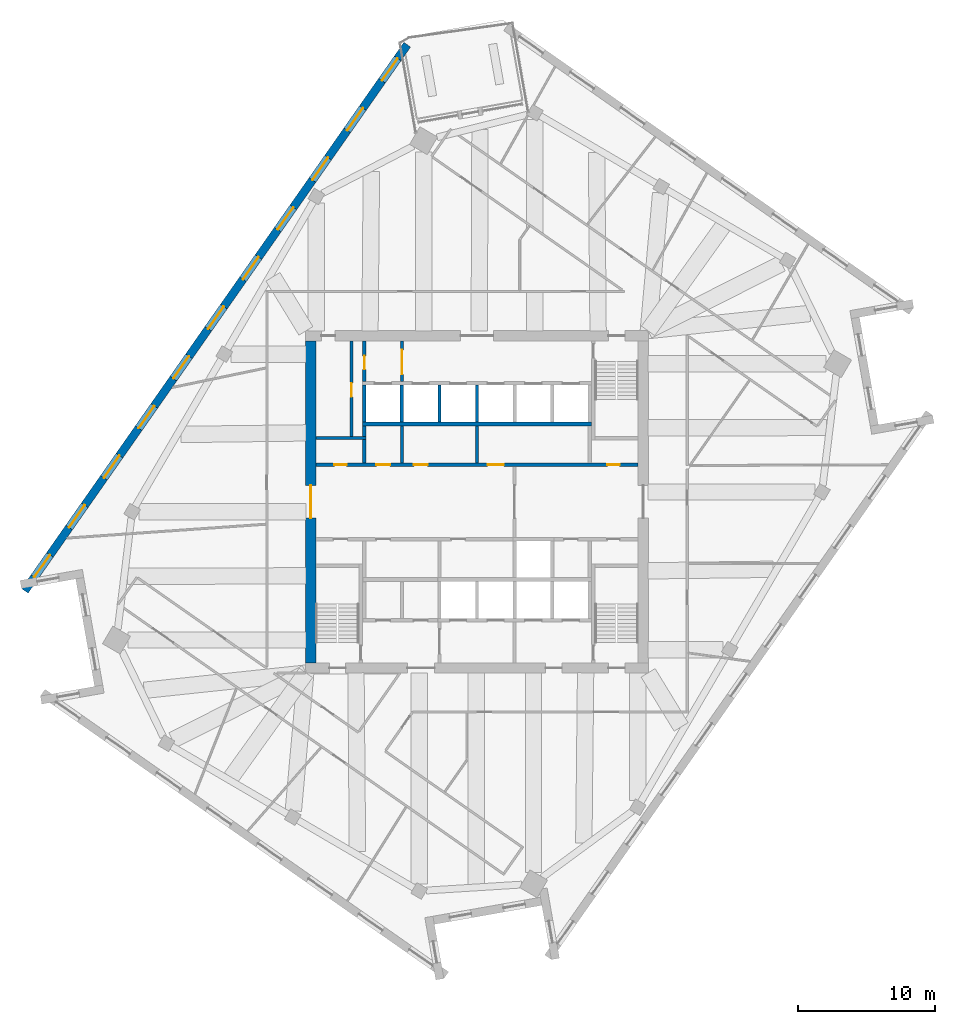
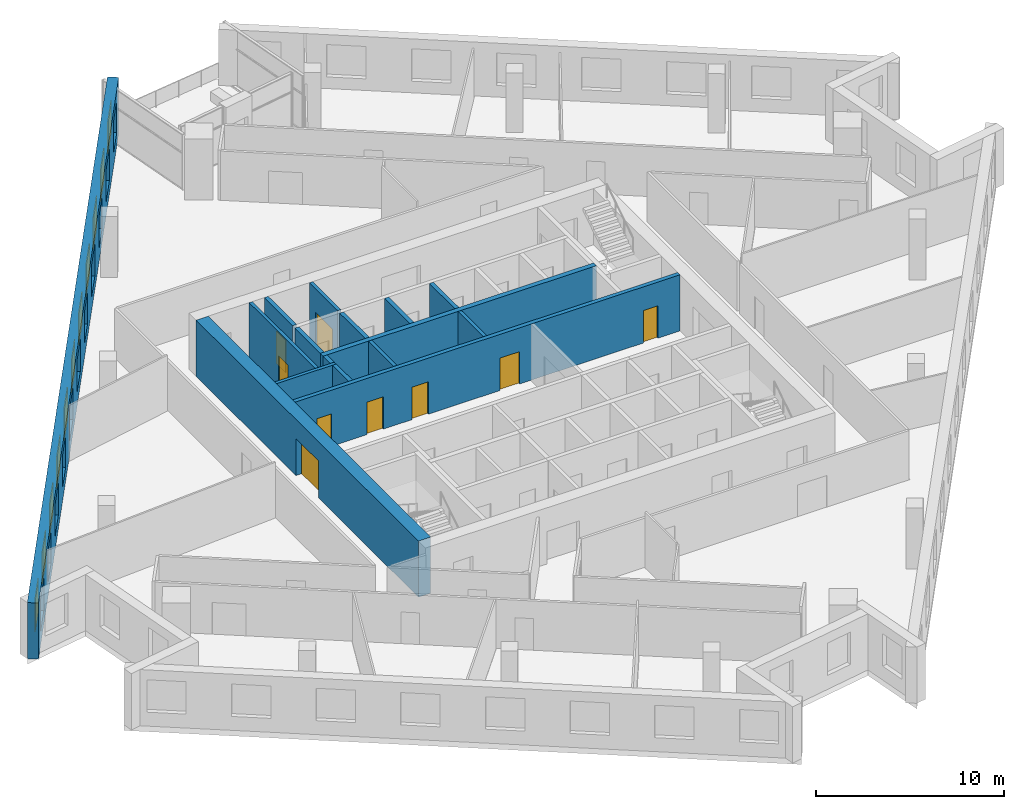
# One storey, part 9 of 13: 16 walls, 11 windows, 9 doors, 20 openings.
"""IFC4 building model written with IfcOpenShell, lengths in metres."""

from ifc_helpers import new_model, si_unit, direction, frame, frame_2d, origin, place, context, subcontext, project, spatial, rectangle, extrude, material, layer, layer_set, type_object, element, fill, save


model = new_model("IFC4")

# Units and contexts
model_context = context("Model", 3, precision=1e-05, world=origin(), true_north=direction((0.0, 1.0)))
body_context = subcontext(model_context, "Body", "Model", "MODEL_VIEW")
ifc_project = project(units=[si_unit("LENGTHUNIT", "METRE"), si_unit("AREAUNIT", "SQUARE_METRE"), si_unit("VOLUMEUNIT", "CUBIC_METRE"), si_unit("PLANEANGLEUNIT", "RADIAN"), si_unit("MASSUNIT", "GRAM", prefix="KILO")], contexts=[model_context])

# Site, building, storey
site_placement = place(None, origin())
site = spatial("IfcSite", under=ifc_project, at=site_placement, CompositionType="ELEMENT")
building_placement = place(site_placement, origin())
building = spatial("IfcBuilding", under=site, at=building_placement, Name="Dilmun Exchange Tower", CompositionType="ELEMENT")
storey_placement = place(building_placement, frame((0.0, 0.0, 246.89990234375)))
storey = spatial("IfcBuildingStorey", under=building, at=storey_placement, Name="L58", CompositionType="ELEMENT", Elevation=246.89990234375)

# Walls
ifc_material_1 = material(Name="Concrete C40/50", Category="concrete")
ifc_layer_1 = layer(ifc_material_1, 0.199951171875)
ifc_layer_set_1 = layer_set([ifc_layer_1], Name="Concrete C40/50")
wall_type_1 = type_object("IfcWallType", Name="Core partition wall 200", PredefinedType="PARTITIONING", material=ifc_layer_set_1)
for number, where, z_axis, x_axis, name in (
    (1, (-5.5, 2.85498046875, 0.0), (0.0, 0.0, 1.0), (0.0, 1.0, 0.0), "L58 core partition wall 15"),
    (2, (0.0, 2.85498046875, 0.0), (0.0, 0.0, 1.0), (0.0, 1.0, 0.0), "L58 core partition wall 16"),
):
    element("IfcWall", number, at=place(storey_placement, frame(where, z_axis=z_axis, x_axis=x_axis)), inside=storey, type_object=wall_type_1, Name=name, PredefinedType="PARTITIONING", context=body_context, shape_type="SweptSolid", body=[
        extrude(rectangle(XDim=2.68994140625, YDim=0.199951171875, at=frame_2d((1.344970703125, 0.0))), origin(), (0.0, 0.0, 1.0), 3.64013671875),
    ])
wall_1_placement = place(storey_placement, frame((-11.794921875, 4.675048828125, 0.0), z_axis=(0.0, 0.0, 1.0), x_axis=(1.0, 0.0, 0.0)))
element("IfcWall", 3, at=wall_1_placement, inside=storey, type_object=wall_type_1, Name="L58 core partition wall 18", PredefinedType="PARTITIONING", context=body_context, shape_type="SweptSolid", body=[
    extrude(rectangle(XDim=3.64501953125, YDim=0.199951171875, at=frame_2d((1.822509765625, 0.0))), origin(), (0.0, 0.0, 1.0), 3.64013671875),
])

# Wall, opening, door
wall_2_placement = place(storey_placement, frame((-9.199951171875, 4.780029296875, 0.0), z_axis=(0.0, 0.0, 1.0), x_axis=(0.0, 1.0, 0.0)))
wall_2 = element("IfcWall", 4, at=wall_2_placement, inside=storey, type_object=wall_type_1, Name="L58 core partition wall 19", PredefinedType="PARTITIONING", context=body_context, shape_type="SweptSolid", body=[
    extrude(rectangle(XDim=7.014892578125, YDim=0.199951171875, at=frame_2d((3.50732421875, 0.0))), origin(), (0.0, 0.0, 1.0), 3.64013671875),
])
opening_1_placement = place(wall_2_placement, frame((2.919921875, 0.0, 0.0)))
opening_1 = element("IfcOpeningElement", 5, at=opening_1_placement, cuts=wall_2, Name="Opening CD4", PredefinedType="OPENING", context=body_context, shape_type="SweptSolid", body=[
    extrude(rectangle(XDim=1.0, YDim=2.10009765625, at=frame_2d((0.5, 1.050048828125))), frame((0.0, 0.10986328125, 0.0), z_axis=(0.0, -1.0, 0.0), x_axis=(1.0, 0.0, 0.0)), (0.0, 0.0, 1.0), 0.219970703125),
])
ifc_material_2 = material(Name="Fire-rated steel door set", Category="steel")
door_type_1 = type_object("IfcDoorType", Name="Core room door 1000x2100", OperationType="SINGLE_SWING_LEFT", PredefinedType="DOOR", material=ifc_material_2)
door_1_placement = place(opening_1_placement, origin())
door_1 = element("IfcDoor", 6, at=door_1_placement, inside=storey, type_object=door_type_1, Name="L58 door Fire safety store", OperationType="SINGLE_SWING_LEFT", OverallHeight=2.10009765625, OverallWidth=1.0, PredefinedType="DOOR", context=body_context, shape_type="SweptSolid", body=[
    extrude(rectangle(XDim=1.0, YDim=2.10009765625, at=frame_2d((0.5, 1.050048828125))), frame((0.0, 0.02490234375, 0.0), z_axis=(0.0, -1.0, 0.0), x_axis=(1.0, 0.0, 0.0)), (0.0, 0.0, 1.0), 0.050048828125),
])
fill(opening_1, door_1)

wall_3_placement = place(storey_placement, frame((-5.5, 8.804931640625, 0.0), z_axis=(0.0, 0.0, 1.0), x_axis=(0.0, 1.0, 0.0)))
wall_3 = element("IfcWall", 7, at=wall_3_placement, inside=storey, type_object=wall_type_1, Name="L58 core partition wall 22", PredefinedType="PARTITIONING", context=body_context, shape_type="SweptSolid", body=[
    extrude(rectangle(XDim=2.989990234375, YDim=0.199951171875, at=frame_2d((1.4951171875, 0.0))), origin(), (0.0, 0.0, 1.0), 3.64013671875),
])
opening_2_placement = place(wall_3_placement, frame((0.532470703125, 0.0, 0.0)))
opening_2 = element("IfcOpeningElement", 8, at=opening_2_placement, cuts=wall_3, Name="Opening CD5", PredefinedType="OPENING", context=body_context, shape_type="SweptSolid", body=[
    extrude(rectangle(XDim=1.800048828125, YDim=2.10009765625, at=frame_2d((0.89990234375, 1.050048828125))), frame((0.0, 0.10986328125, 0.0), z_axis=(0.0, -1.0, 0.0), x_axis=(1.0, 0.0, 0.0)), (0.0, 0.0, 1.0), 0.219970703125),
])
door_type_2 = type_object("IfcDoorType", Name="Stair exit door 1800x2100", OperationType="SINGLE_SWING_LEFT", PredefinedType="DOOR", material=ifc_material_2)
door_2_placement = place(opening_2_placement, origin())
door_2 = element("IfcDoor", 9, at=door_2_placement, inside=storey, type_object=door_type_2, Name="L58 door Lift lobby east", OperationType="SINGLE_SWING_LEFT", OverallHeight=2.10009765625, OverallWidth=1.800048828125, PredefinedType="DOOR", context=body_context, shape_type="SweptSolid", body=[
    extrude(rectangle(XDim=1.800048828125, YDim=2.10009765625, at=frame_2d((0.89990234375, 1.050048828125))), frame((0.0, 0.02490234375, 0.0), z_axis=(0.0, -1.0, 0.0), x_axis=(1.0, 0.0, 0.0)), (0.0, 0.0, 1.0), 0.050048828125),
])
fill(opening_2, door_2)

# Wall, openings, doors
ifc_layer_2 = layer(ifc_material_1, 0.25)
ifc_layer_set_2 = layer_set([ifc_layer_2], Name="Concrete C40/50")
wall_type_2 = type_object("IfcWallType", Name="Core partition wall 250", PredefinedType="PARTITIONING", material=ifc_layer_set_2)
wall_4_placement = place(storey_placement, frame((-11.794921875, 2.72509765625, 0.0), z_axis=(0.0, 0.0, 1.0), x_axis=(1.0, 0.0, 0.0)))
wall_4 = element("IfcWall", 10, at=wall_4_placement, inside=storey, type_object=wall_type_2, Name="L58 core partition wall 13", PredefinedType="PARTITIONING", context=body_context, shape_type="SweptSolid", body=[
    extrude(rectangle(XDim=23.58984375, YDim=0.25, at=frame_2d((11.794921875, 0.0))), origin(), (0.0, 0.0, 1.0), 3.64013671875),
])
opening_3_placement = place(wall_4_placement, frame((21.344970703125, 0.0, 0.0)))
opening_3 = element("IfcOpeningElement", 11, at=opening_3_placement, cuts=wall_4, Name="Opening CD6", PredefinedType="OPENING", context=body_context, shape_type="SweptSolid", body=[
    extrude(rectangle(XDim=0.89990234375, YDim=2.10009765625, at=frame_2d((0.449951171875, 1.050048828125))), frame((0.0, 0.135009765625, 0.0), z_axis=(0.0, -1.0, 0.0), x_axis=(1.0, 0.0, 0.0)), (0.0, 0.0, 1.0), 0.27001953125),
])
opening_4_placement = place(wall_4_placement, frame((1.344970703125, 0.0, 0.0)))
opening_4 = element("IfcOpeningElement", 12, at=opening_4_placement, cuts=wall_4, Name="Opening CD6", PredefinedType="OPENING", context=body_context, shape_type="SweptSolid", body=[
    extrude(rectangle(XDim=0.89990234375, YDim=2.10009765625, at=frame_2d((0.449951171875, 1.050048828125))), frame((0.0, 0.135009765625, 0.0), z_axis=(0.0, -1.0, 0.0), x_axis=(1.0, 0.0, 0.0)), (0.0, 0.0, 1.0), 0.27001953125),
])
opening_5_placement = place(wall_4_placement, frame((4.419921875, 0.0, 0.0)))
opening_5 = element("IfcOpeningElement", 13, at=opening_5_placement, cuts=wall_4, Name="Opening CD4", PredefinedType="OPENING", context=body_context, shape_type="SweptSolid", body=[
    extrude(rectangle(XDim=1.0, YDim=2.10009765625, at=frame_2d((0.5, 1.050048828125))), frame((0.0, 0.135009765625, 0.0), z_axis=(0.0, -1.0, 0.0), x_axis=(1.0, 0.0, 0.0)), (0.0, 0.0, 1.0), 0.27001953125),
])
opening_6_placement = place(wall_4_placement, frame((7.169921875, 0.0, 0.0)))
opening_6 = element("IfcOpeningElement", 14, at=opening_6_placement, cuts=wall_4, Name="Opening CD4", PredefinedType="OPENING", context=body_context, shape_type="SweptSolid", body=[
    extrude(rectangle(XDim=1.0, YDim=2.10009765625, at=frame_2d((0.5, 1.050048828125))), frame((0.0, 0.135009765625, 0.0), z_axis=(0.0, -1.0, 0.0), x_axis=(1.0, 0.0, 0.0)), (0.0, 0.0, 1.0), 0.27001953125),
])
opening_7_placement = place(wall_4_placement, frame((12.570068359375, 0.0, 0.0)))
opening_7 = element("IfcOpeningElement", 15, at=opening_7_placement, cuts=wall_4, Name="Opening CD3", PredefinedType="OPENING", context=body_context, shape_type="SweptSolid", body=[
    extrude(rectangle(XDim=1.199951171875, YDim=2.10009765625, at=frame_2d((0.60009765625, 1.050048828125))), frame((0.0, 0.135009765625, 0.0), z_axis=(0.0, -1.0, 0.0), x_axis=(1.0, 0.0, 0.0)), (0.0, 0.0, 1.0), 0.27001953125),
])
door_3_placement = place(opening_5_placement, origin())
door_3 = element("IfcDoor", 16, at=door_3_placement, inside=storey, type_object=door_type_1, Name="L58 door Security room", OperationType="SINGLE_SWING_LEFT", OverallHeight=2.10009765625, OverallWidth=1.0, PredefinedType="DOOR", context=body_context, shape_type="SweptSolid", body=[
    extrude(rectangle(XDim=1.0, YDim=2.10009765625, at=frame_2d((0.5, 1.050048828125))), frame((0.0, 0.02490234375, 0.0), z_axis=(0.0, -1.0, 0.0), x_axis=(1.0, 0.0, 0.0)), (0.0, 0.0, 1.0), 0.050048828125),
])
fill(opening_5, door_3)
door_4_placement = place(opening_6_placement, origin())
door_4 = element("IfcDoor", 17, at=door_4_placement, inside=storey, type_object=door_type_1, Name="L58 door Tenant services room", OperationType="SINGLE_SWING_LEFT", OverallHeight=2.10009765625, OverallWidth=1.0, PredefinedType="DOOR", context=body_context, shape_type="SweptSolid", body=[
    extrude(rectangle(XDim=1.0, YDim=2.10009765625, at=frame_2d((0.5, 1.050048828125))), frame((0.0, 0.02490234375, 0.0), z_axis=(0.0, -1.0, 0.0), x_axis=(1.0, 0.0, 0.0)), (0.0, 0.0, 1.0), 0.050048828125),
])
fill(opening_6, door_4)
door_type_3 = type_object("IfcDoorType", Name="Core room door 900x2100", OperationType="SINGLE_SWING_LEFT", PredefinedType="DOOR", material=ifc_material_2)
door_5_placement = place(opening_3_placement, origin())
door_5 = element("IfcDoor", 18, at=door_5_placement, inside=storey, type_object=door_type_3, Name="L58 door Electrical riser", OperationType="SINGLE_SWING_LEFT", OverallHeight=2.10009765625, OverallWidth=0.89990234375, PredefinedType="DOOR", context=body_context, shape_type="SweptSolid", body=[
    extrude(rectangle(XDim=0.89990234375, YDim=2.10009765625, at=frame_2d((0.449951171875, 1.050048828125))), frame((0.0, 0.02490234375, 0.0), z_axis=(0.0, -1.0, 0.0), x_axis=(1.0, 0.0, 0.0)), (0.0, 0.0, 1.0), 0.050048828125),
])
fill(opening_3, door_5)
door_6_placement = place(opening_4_placement, origin())
door_6 = element("IfcDoor", 19, at=door_6_placement, inside=storey, type_object=door_type_3, Name="L58 door Plumbing riser", OperationType="SINGLE_SWING_LEFT", OverallHeight=2.10009765625, OverallWidth=0.89990234375, PredefinedType="DOOR", context=body_context, shape_type="SweptSolid", body=[
    extrude(rectangle(XDim=0.89990234375, YDim=2.10009765625, at=frame_2d((0.449951171875, 1.050048828125))), frame((0.0, 0.02490234375, 0.0), z_axis=(0.0, -1.0, 0.0), x_axis=(1.0, 0.0, 0.0)), (0.0, 0.0, 1.0), 0.050048828125),
])
fill(opening_4, door_6)
door_type_4 = type_object("IfcDoorType", Name="Stair exit door 1200x2100", OperationType="SINGLE_SWING_LEFT", PredefinedType="DOOR", material=ifc_material_2)
door_7_placement = place(opening_7_placement, origin())
door_7 = element("IfcDoor", 20, at=door_7_placement, inside=storey, type_object=door_type_4, Name="L58 door Tenant amenity store", OperationType="SINGLE_SWING_LEFT", OverallHeight=2.10009765625, OverallWidth=1.199951171875, PredefinedType="DOOR", context=body_context, shape_type="SweptSolid", body=[
    extrude(rectangle(XDim=1.199951171875, YDim=2.10009765625, at=frame_2d((0.60009765625, 1.050048828125))), frame((0.0, 0.02490234375, 0.0), z_axis=(0.0, -1.0, 0.0), x_axis=(1.0, 0.0, 0.0)), (0.0, 0.0, 1.0), 0.050048828125),
])
fill(opening_7, door_7)

# Walls
wall_5_placement = place(storey_placement, frame((-8.25, 2.85498046875, 0.0), z_axis=(0.0, 0.0, 1.0), x_axis=(0.0, 1.0, 0.0)))
element("IfcWall", 21, at=wall_5_placement, inside=storey, type_object=wall_type_2, Name="L58 core partition wall 14", PredefinedType="PARTITIONING", context=body_context, shape_type="SweptSolid", body=[
    extrude(rectangle(XDim=1.715087890625, YDim=0.25, at=frame_2d((0.857421875, 0.0))), origin(), (0.0, 0.0, 1.0), 3.64013671875),
])
wall_6_placement = place(storey_placement, frame((-8.25, 4.780029296875, 0.0), z_axis=(0.0, 0.0, 1.0), x_axis=(0.0, 1.0, 0.0)))
element("IfcWall", 22, at=wall_6_placement, inside=storey, type_object=wall_type_2, Name="L58 core partition wall 20", PredefinedType="PARTITIONING", context=body_context, shape_type="SweptSolid", body=[
    extrude(rectangle(XDim=0.764892578125, YDim=0.25, at=frame_2d((0.38232421875, 0.0))), origin(), (0.0, 0.0, 1.0), 3.64013671875),
])

# Wall, opening, door
wall_7_placement = place(storey_placement, frame((-8.25, 8.804931640625, 0.0), z_axis=(0.0, 0.0, 1.0), x_axis=(0.0, 1.0, 0.0)))
wall_7 = element("IfcWall", 23, at=wall_7_placement, inside=storey, type_object=wall_type_2, Name="L58 core partition wall 21", PredefinedType="PARTITIONING", context=body_context, shape_type="SweptSolid", body=[
    extrude(rectangle(XDim=2.989990234375, YDim=0.25, at=frame_2d((1.4951171875, 0.0))), origin(), (0.0, 0.0, 1.0), 3.64013671875),
])
opening_8_placement = place(wall_7_placement, frame((0.89501953125, 0.0, 0.0)))
opening_8 = element("IfcOpeningElement", 24, at=opening_8_placement, cuts=wall_7, Name="Opening CD4", PredefinedType="OPENING", context=body_context, shape_type="SweptSolid", body=[
    extrude(rectangle(XDim=1.0, YDim=2.10009765625, at=frame_2d((0.5, 1.050048828125))), frame((0.0, 0.135009765625, 0.0), z_axis=(0.0, -1.0, 0.0), x_axis=(1.0, 0.0, 0.0)), (0.0, 0.0, 1.0), 0.27001953125),
])
door_8_placement = place(opening_8_placement, origin())
door_8 = element("IfcDoor", 25, at=door_8_placement, inside=storey, type_object=door_type_1, Name="L58 door Tenant services room", OperationType="SINGLE_SWING_LEFT", OverallHeight=2.10009765625, OverallWidth=1.0, PredefinedType="DOOR", context=body_context, shape_type="SweptSolid", body=[
    extrude(rectangle(XDim=1.0, YDim=2.10009765625, at=frame_2d((0.5, 1.050048828125))), frame((0.0, 0.02490234375, 0.0), z_axis=(0.0, -1.0, 0.0), x_axis=(1.0, 0.0, 0.0)), (0.0, 0.0, 1.0), 0.050048828125),
])
fill(opening_8, door_8)

ifc_material_3 = material(Name="Concrete C50/60", Category="concrete")
ifc_layer_3 = layer(ifc_material_3, 0.75)
ifc_layer_set_3 = layer_set([ifc_layer_3], Name="Concrete C50/60")
wall_type_3 = type_object("IfcWallType", Name="Core shear wall 750 Concrete C50/60", PredefinedType="SHEAR", material=ifc_layer_set_3)
wall_8_placement = place(storey_placement, frame((-12.175048828125, -11.800048828125, 0.0), z_axis=(0.0, 0.0, 1.0), x_axis=(0.0, 1.0, 0.0)))
wall_8 = element("IfcWall", 26, at=wall_8_placement, inside=storey, type_object=wall_type_3, Name="L58 core shear wall W", PredefinedType="SHEAR", context=body_context, shape_type="SweptSolid", body=[
    extrude(rectangle(XDim=23.60009765625, YDim=0.75, at=frame_2d((11.800048828125, 0.0))), origin(), (0.0, 0.0, 1.0), 3.64013671875),
])
opening_9_placement = place(wall_8_placement, frame((10.60009765625, 0.0, 0.0)))
opening_9 = element("IfcOpeningElement", 27, at=opening_9_placement, cuts=wall_8, Name="Opening CD1", PredefinedType="OPENING", context=body_context, shape_type="SweptSolid", body=[
    extrude(rectangle(XDim=2.39990234375, YDim=2.39990234375, at=frame_2d((1.199951171875, 1.199951171875))), frame((0.0, 0.385009765625, 0.0), z_axis=(0.0, -1.0, 0.0), x_axis=(1.0, 0.0, 0.0)), (0.0, 0.0, 1.0), 0.77001953125),
])
door_type_5 = type_object("IfcDoorType", Name="Core lobby door 2400x2400", OperationType="DOUBLE_DOOR_DOUBLE_SWING", PredefinedType="DOOR", material=ifc_material_2)
door_9_placement = place(opening_9_placement, origin())
door_9 = element("IfcDoor", 28, at=door_9_placement, inside=storey, type_object=door_type_5, Name="L58 door Central lift lobby", OperationType="SINGLE_SWING_LEFT", OverallHeight=2.39990234375, OverallWidth=2.39990234375, PredefinedType="DOOR", context=body_context, shape_type="SweptSolid", body=[
    extrude(rectangle(XDim=2.39990234375, YDim=2.39990234375, at=frame_2d((1.199951171875, 1.199951171875))), frame((0.0, 0.02490234375, 0.0), z_axis=(0.0, -1.0, 0.0), x_axis=(1.0, 0.0, 0.0)), (0.0, 0.0, 1.0), 0.050048828125),
])
fill(opening_9, door_9)

# Walls
ifc_layer_4 = layer(ifc_material_1, 0.300048828125)
ifc_layer_set_4 = layer_set([ifc_layer_4], Name="Concrete C40/50")
wall_type_4 = type_object("IfcWallType", Name="Lift shaft shared wall 300", PredefinedType="SOLIDWALL", material=ifc_layer_set_4)
wall_9_placement = place(storey_placement, frame((-8.375, 5.699951171875, 0.0), z_axis=(0.0, 0.0, 1.0), x_axis=(1.0, 0.0, 0.0)))
element("IfcWall", 29, at=wall_9_placement, inside=storey, type_object=wall_type_4, Name="L58 lift shaft rear wall N", PredefinedType="SOLIDWALL", context=body_context, shape_type="SweptSolid", body=[
    extrude(rectangle(XDim=16.75, YDim=0.300048828125, at=frame_2d((8.375, 0.0))), origin(), (0.0, 0.0, 1.0), 3.64013671875),
])
ifc_layer_5 = layer(ifc_material_1, 0.25)
ifc_layer_set_5 = layer_set([ifc_layer_5], Name="Concrete C40/50")
wall_type_5 = type_object("IfcWallType", Name="Lift shaft wall 250", PredefinedType="SOLIDWALL", material=ifc_layer_set_5)
for number, where, z_axis, x_axis, name in (
    (30, (-8.25, 5.85009765625, 0.0), (0.0, 0.0, 1.0), (0.0, 1.0, 0.0), "L58 lift shaft divider N20"),
    (31, (-5.5, 5.85009765625, 0.0), (0.0, 0.0, 1.0), (0.0, 1.0, 0.0), "L58 lift shaft divider N21"),
    (32, (-2.75, 5.85009765625, 0.0), (0.0, 0.0, 1.0), (0.0, 1.0, 0.0), "L58 lift shaft divider N22"),
    (33, (0.0, 5.85009765625, 0.0), (0.0, 0.0, 1.0), (0.0, 1.0, 0.0), "L58 lift shaft divider N23"),
):
    element("IfcWall", number, at=place(storey_placement, frame(where, z_axis=z_axis, x_axis=x_axis)), inside=storey, type_object=wall_type_5, Name=name, PredefinedType="SOLIDWALL", context=body_context, shape_type="SweptSolid", body=[
        extrude(rectangle(XDim=2.699951171875, YDim=0.25, at=frame_2d((1.35009765625, 0.0))), origin(), (0.0, 0.0, 1.0), 3.64013671875),
    ])

# Wall, openings, windows
ifc_material_4 = material(Name="Precast concrete C50/60", Category="concrete")
ifc_layer_6 = layer(ifc_material_4, 0.60009765625)
ifc_layer_set_6 = layer_set([ifc_layer_6], Name="Precast concrete C50/60")
wall_type_6 = type_object("IfcWallType", Name="Precast stone-clad wall 600", PredefinedType="STANDARD", material=ifc_layer_set_6)
wall_10_placement = place(storey_placement, frame((-5.115478515625, 33.490966796875, 0.0), z_axis=(0.0, 0.0, 1.0), x_axis=(-0.57357740375, -0.819151366908, 0.0)))
wall_10 = element("IfcWall", 34, at=wall_10_placement, inside=storey, type_object=wall_type_6, Name="Facade wall L58-03", PredefinedType="STANDARD", context=body_context, shape_type="SweptSolid", body=[
    extrude(rectangle(XDim=48.84326171875, YDim=0.60009765625, at=frame_2d((24.421630859375, 0.0))), origin(), (0.0, 0.0, 1.0), 3.64013671875),
])
opening_10_placement = place(wall_10_placement, frame((1.22021484375, 0.0, 0.89990234375)))
opening_10 = element("IfcOpeningElement", 35, at=opening_10_placement, cuts=wall_10, Name="Opening W200-210", PredefinedType="OPENING", context=body_context, shape_type="SweptSolid", body=[
    extrude(rectangle(XDim=2.0, YDim=2.10009765625, at=frame_2d((1.0, 1.050048828125))), frame((0.0, 0.31005859375, 0.0), z_axis=(0.0, -1.0, 0.0), x_axis=(1.0, 0.0, 0.0)), (0.0, 0.0, 1.0), 0.6201171875),
])
opening_11_placement = place(wall_10_placement, frame((5.660400390625, 0.0, 0.89990234375)))
opening_11 = element("IfcOpeningElement", 36, at=opening_11_placement, cuts=wall_10, Name="Opening W200-210", PredefinedType="OPENING", context=body_context, shape_type="SweptSolid", body=[
    extrude(rectangle(XDim=2.0, YDim=2.10009765625, at=frame_2d((1.0, 1.050048828125))), frame((0.0, 0.31005859375, 0.0), z_axis=(0.0, -1.0, 0.0), x_axis=(1.0, 0.0, 0.0)), (0.0, 0.0, 1.0), 0.6201171875),
])
opening_12_placement = place(wall_10_placement, frame((10.1005859375, 0.0, 0.89990234375)))
opening_12 = element("IfcOpeningElement", 37, at=opening_12_placement, cuts=wall_10, Name="Opening W200-210", PredefinedType="OPENING", context=body_context, shape_type="SweptSolid", body=[
    extrude(rectangle(XDim=2.0, YDim=2.10009765625, at=frame_2d((1.0, 1.050048828125))), frame((0.0, 0.31005859375, 0.0), z_axis=(0.0, -1.0, 0.0), x_axis=(1.0, 0.0, 0.0)), (0.0, 0.0, 1.0), 0.6201171875),
])
opening_13_placement = place(wall_10_placement, frame((14.541015625, 0.0, 0.89990234375)))
opening_13 = element("IfcOpeningElement", 38, at=opening_13_placement, cuts=wall_10, Name="Opening W200-210", PredefinedType="OPENING", context=body_context, shape_type="SweptSolid", body=[
    extrude(rectangle(XDim=2.0, YDim=2.10009765625, at=frame_2d((1.0, 1.050048828125))), frame((0.0, 0.31005859375, 0.0), z_axis=(0.0, -1.0, 0.0), x_axis=(1.0, 0.0, 0.0)), (0.0, 0.0, 1.0), 0.6201171875),
])
opening_14_placement = place(wall_10_placement, frame((18.981201171875, 0.0, 0.89990234375)))
opening_14 = element("IfcOpeningElement", 39, at=opening_14_placement, cuts=wall_10, Name="Opening W200-210", PredefinedType="OPENING", context=body_context, shape_type="SweptSolid", body=[
    extrude(rectangle(XDim=2.0, YDim=2.10009765625, at=frame_2d((1.0, 1.050048828125))), frame((0.0, 0.31005859375, 0.0), z_axis=(0.0, -1.0, 0.0), x_axis=(1.0, 0.0, 0.0)), (0.0, 0.0, 1.0), 0.6201171875),
])
opening_15_placement = place(wall_10_placement, frame((23.421630859375, 0.0, 0.89990234375)))
opening_15 = element("IfcOpeningElement", 40, at=opening_15_placement, cuts=wall_10, Name="Opening W200-210", PredefinedType="OPENING", context=body_context, shape_type="SweptSolid", body=[
    extrude(rectangle(XDim=2.0, YDim=2.10009765625, at=frame_2d((1.0, 1.050048828125))), frame((0.0, 0.31005859375, 0.0), z_axis=(0.0, -1.0, 0.0), x_axis=(1.0, 0.0, 0.0)), (0.0, 0.0, 1.0), 0.6201171875),
])
opening_16_placement = place(wall_10_placement, frame((27.86181640625, 0.0, 0.89990234375)))
opening_16 = element("IfcOpeningElement", 41, at=opening_16_placement, cuts=wall_10, Name="Opening W200-210", PredefinedType="OPENING", context=body_context, shape_type="SweptSolid", body=[
    extrude(rectangle(XDim=2.0, YDim=2.10009765625, at=frame_2d((1.0, 1.050048828125))), frame((0.0, 0.31005859375, 0.0), z_axis=(0.0, -1.0, 0.0), x_axis=(1.0, 0.0, 0.0)), (0.0, 0.0, 1.0), 0.6201171875),
])
opening_17_placement = place(wall_10_placement, frame((32.302001953125, 0.0, 0.89990234375)))
opening_17 = element("IfcOpeningElement", 42, at=opening_17_placement, cuts=wall_10, Name="Opening W200-210", PredefinedType="OPENING", context=body_context, shape_type="SweptSolid", body=[
    extrude(rectangle(XDim=2.0, YDim=2.10009765625, at=frame_2d((1.0, 1.050048828125))), frame((0.0, 0.31005859375, 0.0), z_axis=(0.0, -1.0, 0.0), x_axis=(1.0, 0.0, 0.0)), (0.0, 0.0, 1.0), 0.6201171875),
])
opening_18_placement = place(wall_10_placement, frame((36.742431640625, 0.0, 0.89990234375)))
opening_18 = element("IfcOpeningElement", 43, at=opening_18_placement, cuts=wall_10, Name="Opening W200-210", PredefinedType="OPENING", context=body_context, shape_type="SweptSolid", body=[
    extrude(rectangle(XDim=2.0, YDim=2.10009765625, at=frame_2d((1.0, 1.050048828125))), frame((0.0, 0.31005859375, 0.0), z_axis=(0.0, -1.0, 0.0), x_axis=(1.0, 0.0, 0.0)), (0.0, 0.0, 1.0), 0.6201171875),
])
opening_19_placement = place(wall_10_placement, frame((41.1826171875, 0.0, 0.89990234375)))
opening_19 = element("IfcOpeningElement", 44, at=opening_19_placement, cuts=wall_10, Name="Opening W200-210", PredefinedType="OPENING", context=body_context, shape_type="SweptSolid", body=[
    extrude(rectangle(XDim=2.0, YDim=2.10009765625, at=frame_2d((1.0, 1.050048828125))), frame((0.0, 0.31005859375, 0.0), z_axis=(0.0, -1.0, 0.0), x_axis=(1.0, 0.0, 0.0)), (0.0, 0.0, 1.0), 0.6201171875),
])
opening_20_placement = place(wall_10_placement, frame((45.623046875, 0.0, 0.89990234375)))
opening_20 = element("IfcOpeningElement", 45, at=opening_20_placement, cuts=wall_10, Name="Opening W200-210", PredefinedType="OPENING", context=body_context, shape_type="SweptSolid", body=[
    extrude(rectangle(XDim=2.0, YDim=2.10009765625, at=frame_2d((1.0, 1.050048828125))), frame((0.0, 0.31005859375, 0.0), z_axis=(0.0, -1.0, 0.0), x_axis=(1.0, 0.0, 0.0)), (0.0, 0.0, 1.0), 0.6201171875),
])
ifc_material_5 = material(Name="Clear low-emissivity glass in aluminium frame", Category="aluminium")
window_type = type_object("IfcWindowType", Name="Punched window 2000 x 2100", PartitioningType="DOUBLE_PANEL_VERTICAL", PredefinedType="WINDOW", material=ifc_material_5)
window_1_placement = place(opening_10_placement, origin())
window_1 = element("IfcWindow", 46, at=window_1_placement, inside=storey, type_object=window_type, Name="Window 4.1", OverallHeight=2.10009765625, OverallWidth=2.0, PartitioningType="SINGLE_PANEL", PredefinedType="WINDOW", context=body_context, shape_type="SweptSolid", body=[
    extrude(rectangle(XDim=2.0, YDim=2.10009765625, at=frame_2d((1.0, 1.050048828125))), frame((0.0, 0.030029296875, 0.0), z_axis=(0.0, -1.0, 0.0), x_axis=(1.0, 0.0, 0.0)), (0.0, 0.0, 1.0), 0.06005859375),
])
fill(opening_10, window_1)
window_2_placement = place(opening_11_placement, origin())
window_2 = element("IfcWindow", 47, at=window_2_placement, inside=storey, type_object=window_type, Name="Window 4.2", OverallHeight=2.10009765625, OverallWidth=2.0, PartitioningType="SINGLE_PANEL", PredefinedType="WINDOW", context=body_context, shape_type="SweptSolid", body=[
    extrude(rectangle(XDim=2.0, YDim=2.10009765625, at=frame_2d((1.0, 1.050048828125))), frame((0.0, 0.030029296875, 0.0), z_axis=(0.0, -1.0, 0.0), x_axis=(1.0, 0.0, 0.0)), (0.0, 0.0, 1.0), 0.06005859375),
])
fill(opening_11, window_2)
window_3_placement = place(opening_12_placement, origin())
window_3 = element("IfcWindow", 48, at=window_3_placement, inside=storey, type_object=window_type, Name="Window 4.3", OverallHeight=2.10009765625, OverallWidth=2.0, PartitioningType="SINGLE_PANEL", PredefinedType="WINDOW", context=body_context, shape_type="SweptSolid", body=[
    extrude(rectangle(XDim=2.0, YDim=2.10009765625, at=frame_2d((1.0, 1.050048828125))), frame((0.0, 0.030029296875, 0.0), z_axis=(0.0, -1.0, 0.0), x_axis=(1.0, 0.0, 0.0)), (0.0, 0.0, 1.0), 0.06005859375),
])
fill(opening_12, window_3)
window_4_placement = place(opening_13_placement, origin())
window_4 = element("IfcWindow", 49, at=window_4_placement, inside=storey, type_object=window_type, Name="Window 4.4", OverallHeight=2.10009765625, OverallWidth=2.0, PartitioningType="SINGLE_PANEL", PredefinedType="WINDOW", context=body_context, shape_type="SweptSolid", body=[
    extrude(rectangle(XDim=2.0, YDim=2.10009765625, at=frame_2d((1.0, 1.050048828125))), frame((0.0, 0.030029296875, 0.0), z_axis=(0.0, -1.0, 0.0), x_axis=(1.0, 0.0, 0.0)), (0.0, 0.0, 1.0), 0.06005859375),
])
fill(opening_13, window_4)
window_5_placement = place(opening_14_placement, origin())
window_5 = element("IfcWindow", 50, at=window_5_placement, inside=storey, type_object=window_type, Name="Window 4.5", OverallHeight=2.10009765625, OverallWidth=2.0, PartitioningType="SINGLE_PANEL", PredefinedType="WINDOW", context=body_context, shape_type="SweptSolid", body=[
    extrude(rectangle(XDim=2.0, YDim=2.10009765625, at=frame_2d((1.0, 1.050048828125))), frame((0.0, 0.030029296875, 0.0), z_axis=(0.0, -1.0, 0.0), x_axis=(1.0, 0.0, 0.0)), (0.0, 0.0, 1.0), 0.06005859375),
])
fill(opening_14, window_5)
window_6_placement = place(opening_15_placement, origin())
window_6 = element("IfcWindow", 51, at=window_6_placement, inside=storey, type_object=window_type, Name="Window 4.6", OverallHeight=2.10009765625, OverallWidth=2.0, PartitioningType="SINGLE_PANEL", PredefinedType="WINDOW", context=body_context, shape_type="SweptSolid", body=[
    extrude(rectangle(XDim=2.0, YDim=2.10009765625, at=frame_2d((1.0, 1.050048828125))), frame((0.0, 0.030029296875, 0.0), z_axis=(0.0, -1.0, 0.0), x_axis=(1.0, 0.0, 0.0)), (0.0, 0.0, 1.0), 0.06005859375),
])
fill(opening_15, window_6)
window_7_placement = place(opening_16_placement, origin())
window_7 = element("IfcWindow", 52, at=window_7_placement, inside=storey, type_object=window_type, Name="Window 4.7", OverallHeight=2.10009765625, OverallWidth=2.0, PartitioningType="SINGLE_PANEL", PredefinedType="WINDOW", context=body_context, shape_type="SweptSolid", body=[
    extrude(rectangle(XDim=2.0, YDim=2.10009765625, at=frame_2d((1.0, 1.050048828125))), frame((0.0, 0.030029296875, 0.0), z_axis=(0.0, -1.0, 0.0), x_axis=(1.0, 0.0, 0.0)), (0.0, 0.0, 1.0), 0.06005859375),
])
fill(opening_16, window_7)
window_8_placement = place(opening_17_placement, origin())
window_8 = element("IfcWindow", 53, at=window_8_placement, inside=storey, type_object=window_type, Name="Window 4.8", OverallHeight=2.10009765625, OverallWidth=2.0, PartitioningType="SINGLE_PANEL", PredefinedType="WINDOW", context=body_context, shape_type="SweptSolid", body=[
    extrude(rectangle(XDim=2.0, YDim=2.10009765625, at=frame_2d((1.0, 1.050048828125))), frame((0.0, 0.030029296875, 0.0), z_axis=(0.0, -1.0, 0.0), x_axis=(1.0, 0.0, 0.0)), (0.0, 0.0, 1.0), 0.06005859375),
])
fill(opening_17, window_8)
window_9_placement = place(opening_18_placement, origin())
window_9 = element("IfcWindow", 54, at=window_9_placement, inside=storey, type_object=window_type, Name="Window 4.9", OverallHeight=2.10009765625, OverallWidth=2.0, PartitioningType="SINGLE_PANEL", PredefinedType="WINDOW", context=body_context, shape_type="SweptSolid", body=[
    extrude(rectangle(XDim=2.0, YDim=2.10009765625, at=frame_2d((1.0, 1.050048828125))), frame((0.0, 0.030029296875, 0.0), z_axis=(0.0, -1.0, 0.0), x_axis=(1.0, 0.0, 0.0)), (0.0, 0.0, 1.0), 0.06005859375),
])
fill(opening_18, window_9)
window_10_placement = place(opening_19_placement, origin())
window_10 = element("IfcWindow", 55, at=window_10_placement, inside=storey, type_object=window_type, Name="Window 4.10", OverallHeight=2.10009765625, OverallWidth=2.0, PartitioningType="SINGLE_PANEL", PredefinedType="WINDOW", context=body_context, shape_type="SweptSolid", body=[
    extrude(rectangle(XDim=2.0, YDim=2.10009765625, at=frame_2d((1.0, 1.050048828125))), frame((0.0, 0.030029296875, 0.0), z_axis=(0.0, -1.0, 0.0), x_axis=(1.0, 0.0, 0.0)), (0.0, 0.0, 1.0), 0.06005859375),
])
fill(opening_19, window_10)
window_11_placement = place(opening_20_placement, origin())
window_11 = element("IfcWindow", 56, at=window_11_placement, inside=storey, type_object=window_type, Name="Window 4.11", OverallHeight=2.10009765625, OverallWidth=2.0, PartitioningType="SINGLE_PANEL", PredefinedType="WINDOW", context=body_context, shape_type="SweptSolid", body=[
    extrude(rectangle(XDim=2.0, YDim=2.10009765625, at=frame_2d((1.0, 1.050048828125))), frame((0.0, 0.030029296875, 0.0), z_axis=(0.0, -1.0, 0.0), x_axis=(1.0, 0.0, 0.0)), (0.0, 0.0, 1.0), 0.06005859375),
])
fill(opening_20, window_11)

save(model, "model.ifc")
